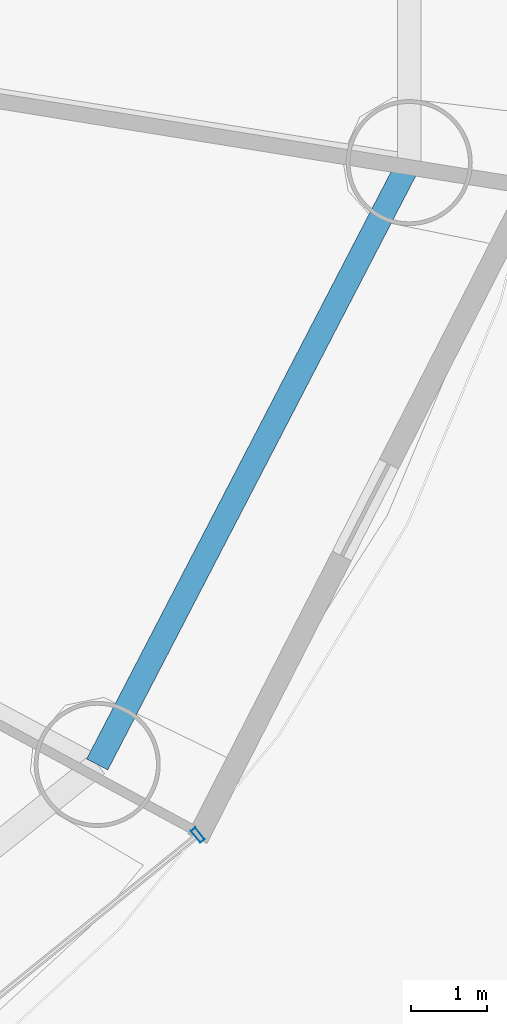
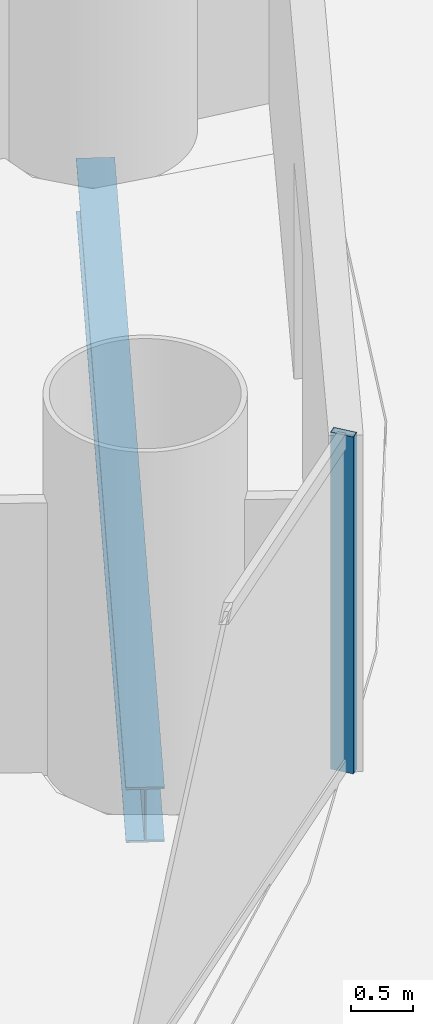
# One storey, part 15 of 37: 1 beam, 1 member, 1 element without a shape of its own.
"""IFC4 building model written with IfcOpenShell, lengths in metres."""

import ifcopenshell
import ifcopenshell.guid

model = None  # the IFC model being written
_history = None  # IfcOwnerHistory: only IFC2X3 demands one
_inside = {}  # id of a spatial element -> (the spatial element, [elements in it])
_under = {}  # id of a project, library or spatial element -> (it, [spatial elements below it])
_declared = {}  # id of a project -> (the project, [libraries it declares])
_typed = {}  # id of a type object -> (the type object, [elements of that type])
_made_of = {}  # id of a material, layer set ... -> (it, [elements and type objects made of it])


def new_model(schema):
    """Start an empty IFC model of exactly this schema.

    Asked for "IFC4X3", IfcOpenShell would pick the latest addendum, in which some entities
    have other attributes; the version numbers below select the first issue.
    IFC2X3 requires an IfcOwnerHistory on every rooted entity: one is made here for all.
    """
    global model, _history
    if schema == "IFC4X3":
        model = ifcopenshell.file(schema_version=(4, 3, 0, 0))
    else:
        model = ifcopenshell.file(schema=schema)
    _inside.clear()
    _under.clear()
    _declared.clear()
    _typed.clear()
    _made_of.clear()
    _history = None
    if model.schema == "IFC2X3":
        org = make("IfcOrganization", Name="unknown")
        user = make(
            "IfcPersonAndOrganization",
            ThePerson=make("IfcPerson", FamilyName="unknown"),
            TheOrganization=org,
        )
        app = make(
            "IfcApplication",
            ApplicationDeveloper=org,
            Version="unknown",
            ApplicationFullName="unknown",
            ApplicationIdentifier="unknown",
        )
        _history = make(
            "IfcOwnerHistory",
            OwningUser=user,
            OwningApplication=app,
            ChangeAction="ADDED",
            CreationDate=0,
        )
    return model


def make(cls, **values):
    """One entity of the class cls with the attributes given. An attribute that is None is left unset."""
    return model.create_entity(
        cls, **{name: value for name, value in values.items() if value is not None}
    )


def rooted(cls, **values):
    """An entity with a GlobalId (a new one), such as an element, a storey or a relation."""
    return make(cls, GlobalId=ifcopenshell.guid.new(), OwnerHistory=_history, **values)


def si_unit(unit_type, name, prefix=None):
    """IfcSIUnit, for example si_unit("LENGTHUNIT", "METRE", prefix="MILLI")."""
    return make("IfcSIUnit", UnitType=unit_type, Prefix=prefix, Name=name)


def assignment(units):
    """IfcUnitAssignment: the units of a project."""
    return None if units is None else make("IfcUnitAssignment", Units=units)


def point(xyz):
    """IfcCartesianPoint."""
    return None if xyz is None else make("IfcCartesianPoint", Coordinates=xyz)


def direction(xyz):
    """IfcDirection."""
    return None if xyz is None else make("IfcDirection", DirectionRatios=xyz)


def frame(location, z_axis=None, x_axis=None):
    """IfcAxis2Placement3D, a coordinate frame: its origin and axes. An axis left out is left unset."""
    return make(
        "IfcAxis2Placement3D",
        Location=point(location),
        Axis=direction(z_axis),
        RefDirection=direction(x_axis),
    )


def frame_2d(location, x_axis=None):
    """IfcAxis2Placement2D, a coordinate frame in the plane: its origin and x axis."""
    return make(
        "IfcAxis2Placement2D", Location=point(location), RefDirection=direction(x_axis)
    )


def origin():
    """The frame at (0, 0, 0) with its axes left unset."""
    return frame((0.0, 0.0, 0.0))


def origin_2d():
    """The frame at (0, 0) in the plane with its x axis left unset."""
    return frame_2d((0.0, 0.0))


def place(relative_to, where):
    """IfcLocalPlacement: puts the frame where relative to a parent placement (None: the world)."""
    return make(
        "IfcLocalPlacement", PlacementRelTo=relative_to, RelativePlacement=where
    )


def context(
    kind, dimensions, precision=None, world=None, true_north=None, identifier=None
):
    """IfcGeometricRepresentationContext, for example the 3D "Model" context."""
    return make(
        "IfcGeometricRepresentationContext",
        ContextIdentifier=identifier,
        ContextType=kind,
        CoordinateSpaceDimension=dimensions,
        Precision=precision,
        WorldCoordinateSystem=world,
        TrueNorth=true_north,
    )


def subcontext(parent, identifier, kind, view, scale=None):
    """IfcGeometricRepresentationSubContext, for example "Body" below "Model"."""
    return make(
        "IfcGeometricRepresentationSubContext",
        ContextIdentifier=identifier,
        ContextType=kind,
        ParentContext=parent,
        TargetScale=scale,
        TargetView=view,
    )


def project(units=None, contexts=None):
    """IfcProject with its units and contexts."""
    return rooted(
        "IfcProject",
        Name="project",
        RepresentationContexts=contexts,
        UnitsInContext=assignment(units),
    )


def spatial(cls, under=None, at=None, **own):
    """A site, building, storey or space (cls), placed at a placement, below another one or the project."""
    s = rooted(cls, ObjectPlacement=at, **own)
    if under is not None:
        _under.setdefault(under.id(), (under, []))[1].append(s)
    return s


def profile(cls, at=None, kind="AREA", **sizes):
    """A parametric profile (cls). Its sizes go by their IFC names, for example OverallWidth=200.0."""
    return make(cls, ProfileType=kind, Position=at, **sizes)


def hollow_rectangle(**sizes):
    """IfcRectangleHollowProfileDef."""
    return profile("IfcRectangleHollowProfileDef", **sizes)


def i_section(**sizes):
    """IfcIShapeProfileDef."""
    return profile("IfcIShapeProfileDef", **sizes)


def extrude(swept, where, along, depth):
    """IfcExtrudedAreaSolid: the profile swept, set in the frame where, extruded along a direction by depth."""
    return make(
        "IfcExtrudedAreaSolid",
        SweptArea=swept,
        Position=where,
        ExtrudedDirection=direction(along),
        Depth=depth,
    )


def shape(context_of_items, identifier, shape_type, items):
    """IfcShapeRepresentation: the items that make up one representation, for example the "Body"."""
    return make(
        "IfcShapeRepresentation",
        ContextOfItems=context_of_items,
        RepresentationIdentifier=identifier,
        RepresentationType=shape_type,
        Items=items,
    )


def source(mapping_origin, context_of_items, identifier, shape_type, items):
    """IfcRepresentationMap: a shape defined once, which mapped items show again and again."""
    return make(
        "IfcRepresentationMap",
        MappingOrigin=mapping_origin,
        MappedRepresentation=shape(context_of_items, identifier, shape_type, items),
    )


def transform(
    local_origin,
    x_axis=None,
    y_axis=None,
    z_axis=None,
    scale=None,
    scale2=None,
    scale3=None,
    uniform=True,
):
    """IfcCartesianTransformationOperator3D, or its non-uniform kind. x_axis, y_axis, z_axis: its Axis1, 2, 3."""
    if uniform:
        return make(
            "IfcCartesianTransformationOperator3D",
            Axis1=direction(x_axis),
            Axis2=direction(y_axis),
            LocalOrigin=point(local_origin),
            Scale=scale,
            Axis3=direction(z_axis),
        )
    return make(
        "IfcCartesianTransformationOperator3DnonUniform",
        Axis1=direction(x_axis),
        Axis2=direction(y_axis),
        LocalOrigin=point(local_origin),
        Scale=scale,
        Axis3=direction(z_axis),
        Scale2=scale2,
        Scale3=scale3,
    )


def mapped(mapping_source, mapping_target):
    """IfcMappedItem: shows the shape of a source again, moved by a transform."""
    return make(
        "IfcMappedItem", MappingSource=mapping_source, MappingTarget=mapping_target
    )


def material(Name=None, Category=None):
    """IfcMaterial."""
    return make("IfcMaterial", Name=Name, Category=Category)


def material_profile(
    of_material, cross_section, Name=None, Category=None, Priority=None
):
    """IfcMaterialProfile: a cross section and its material."""
    return make(
        "IfcMaterialProfile",
        Name=Name,
        Material=of_material,
        Profile=cross_section,
        Priority=Priority,
        Category=Category,
    )


def profile_set(profiles, Name=None, composite=None):
    """IfcMaterialProfileSet."""
    return make(
        "IfcMaterialProfileSet",
        Name=Name,
        MaterialProfiles=profiles,
        CompositeProfile=composite,
    )


def made_of(thing, what):
    """Note that an element or type object is made of a material, layer set ...; save() writes the relation."""
    if what is not None:
        _made_of.setdefault(what.id(), (what, []))[1].append(thing)
    return thing


def type_object(cls, material=None, **own):
    """A type object (cls), such as IfcWallType, which elements share."""
    return made_of(rooted(cls, **own), material)


def element(
    cls,
    number,
    at=None,
    inside=None,
    cuts=None,
    type_object=None,
    material=None,
    context=None,
    identifier="Body",
    shape_type=None,
    held_by="IfcProductDefinitionShape",
    body=None,
    shapes=None,
    **own,
):
    """One element of the class cls, such as IfcWall. Its Tag is "e" and its number.

    at: its placement. inside: the storey or other place that contains it. cuts: it is an
    opening in that element (IfcRelVoidsElement). A single representation is given by context,
    identifier, shape_type and body (its items); several are given by shapes. held_by: the class
    of the entity that holds the representations. save() writes the other relations.
    """
    e = rooted(cls, Tag="e%d" % number, ObjectPlacement=at, **own)
    if body is not None:
        shapes = [shape(context, identifier, shape_type, body)]
    if shapes is not None:
        e.Representation = make(held_by, Representations=shapes)
    if inside is not None:
        _inside.setdefault(inside.id(), (inside, []))[1].append(e)
    if cuts is not None:
        rooted(
            "IfcRelVoidsElement", RelatingBuildingElement=cuts, RelatedOpeningElement=e
        )
    if type_object is not None:
        _typed.setdefault(type_object.id(), (type_object, []))[1].append(e)
    return made_of(e, material)


def aggregate(whole, parts):
    """IfcRelAggregates: a whole, such as a stair, and the parts it consists of."""
    return rooted("IfcRelAggregates", RelatingObject=whole, RelatedObjects=parts)


def save(model, path):
    """Write the relations noted so far, then the file.

    IfcRelAggregates (storeys below a building ...), IfcRelContainedInSpatialStructure (elements
    in a storey), IfcRelDefinesByType, IfcRelAssociatesMaterial and IfcRelDeclares: one each for
    every whole, place, type object, material and project.
    """
    for whole, parts in _under.values():
        aggregate(whole, parts)
    for where, things in _inside.values():
        rooted(
            "IfcRelContainedInSpatialStructure",
            RelatedElements=things,
            RelatingStructure=where,
        )
    for kind, things in _typed.values():
        rooted("IfcRelDefinesByType", RelatedObjects=things, RelatingType=kind)
    for what, things in _made_of.values():
        rooted("IfcRelAssociatesMaterial", RelatedObjects=things, RelatingMaterial=what)
    for by, libraries in _declared.values():
        rooted("IfcRelDeclares", RelatingContext=by, RelatedDefinitions=libraries)
    model.write(path)


model = new_model("IFC4")

# Units and contexts
model_context = context("Model", 3, precision=1e-05, world=origin(), true_north=direction((-0.2419218956, 0.970295726276)))
body_context = subcontext(model_context, "Body", "Model", "MODEL_VIEW")
ifc_project = project(units=[si_unit("LENGTHUNIT", "METRE"), si_unit("AREAUNIT", "SQUARE_METRE"), si_unit("VOLUMEUNIT", "CUBIC_METRE"), si_unit("PLANEANGLEUNIT", "RADIAN"), si_unit("MASSUNIT", "GRAM", prefix="KILO")], contexts=[model_context])

# Site, building, storey
site_placement = place(None, origin())
site = spatial("IfcSite", under=ifc_project, at=site_placement, CompositionType="ELEMENT")
building_placement = place(site_placement, origin())
building = spatial("IfcBuilding", under=site, at=building_placement, Name="Cobrevalo Terracotta Tower", CompositionType="ELEMENT")
storey_placement = place(building_placement, frame((0.0, 0.0, 24.0)))
storey = spatial("IfcBuildingStorey", under=building, at=storey_placement, Name="L05", CompositionType="ELEMENT", Elevation=24.0)

# Beam
ifc_material_1 = material(Name="Steel S355", Category="steel")
ifc_material_profile_1 = material_profile(ifc_material_1, i_section(OverallWidth=0.31201171875, OverallDepth=0.54296875, WebThickness=0.0126953125, FlangeThickness=0.020263671875, at=origin_2d()), Name="W 530x150")
ifc_profile_set_1 = profile_set([ifc_material_profile_1], Name="Steel S355")
beam_type = type_object("IfcBeamType", Name="Structural Spandrel W 530x150 (Steel S355)", PredefinedType="SPANDREL", material=ifc_profile_set_1)
beam_placement = place(storey_placement, frame((60.74072265625, 14.660888671875, -0.551513671875), z_axis=(0.460285838799, 0.88777077368, 0.0), x_axis=(-0.88777077368, 0.460285838799, 0.0)))
element("IfcBeam", 1, at=beam_placement, inside=storey, type_object=beam_type, Name="L05 perimeter ring spandrel 15", PredefinedType="SPANDREL", context=body_context, shape_type="SweptSolid", body=[
    extrude(i_section(OverallWidth=0.31201171875, OverallDepth=0.54296875, WebThickness=0.0126953125, FlangeThickness=0.020263671875, at=origin_2d()), origin(), (0.0, 0.0, 1.0), 8.8720703125),
])

# Curtain wall, member
ifc_material_2 = material(Name="Anodized aluminium", Category="aluminium")
curtain_wall_type = type_object("IfcCurtainWallType", Name="Lower-tower unitised acoustic low-E curtain wall CW-U1", PredefinedType="NOTDEFINED", material=ifc_material_2)
curtain_wall_placement = place(storey_placement, origin())
curtain_wall = element("IfcCurtainWall", 2, at=curtain_wall_placement, inside=storey, type_object=curtain_wall_type, Name="L05 curtain wall CW-L05-S14", PredefinedType="NOTDEFINED")
ifc_material_profile_2 = material_profile(ifc_material_2, hollow_rectangle(XDim=0.074951171875, YDim=0.199951171875, WallThickness=0.0048828125, at=origin_2d()), Name="CWM 75x200")
ifc_profile_set_2 = profile_set([ifc_material_profile_2], Name="Anodized aluminium")
member_type = type_object("IfcMemberType", Name="Lower/mid tower unitised mullion 75x200", PredefinedType="MULLION", material=ifc_profile_set_2)
shared_shape = source(origin(), body_context, "Body", "SweptSolid", [
    extrude(hollow_rectangle(XDim=0.074951171875, YDim=0.199951171875, WallThickness=0.0048828125, at=origin_2d()), origin(), (0.0, 0.0, 1.0), 3.320068359375),
])
member_placement = place(storey_placement, frame((62.056640625, 13.735595703125, 0.0), z_axis=(0.0, 0.0, 1.0), x_axis=(0.777003153187, 0.629496703675, 0.0)))
member = element("IfcMember", 3, at=member_placement, type_object=member_type, Name="CW-L05-S14 vertical mullion 03", PredefinedType="MULLION", context=body_context, shape_type="MappedRepresentation", body=[
    mapped(shared_shape, transform((0.0, 0.0, 0.0), scale=1.0)),
])
aggregate(curtain_wall, [member])

save(model, "model.ifc")
